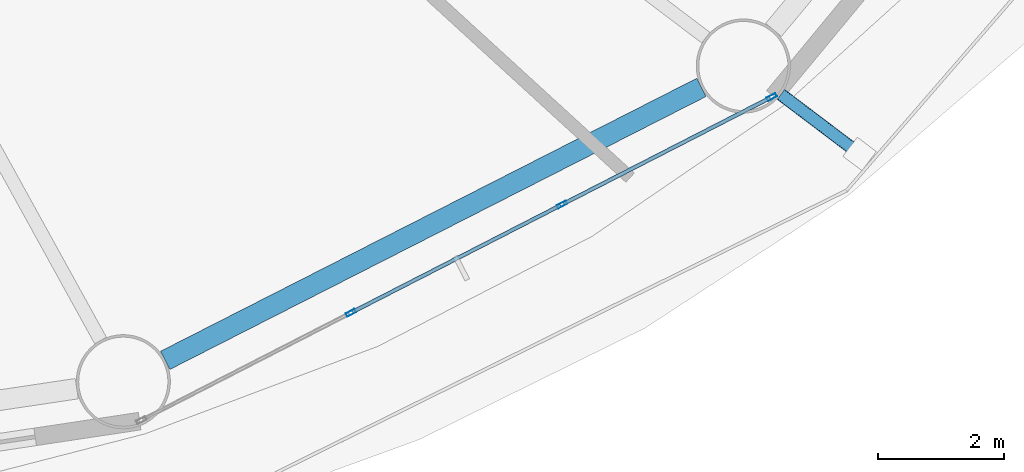
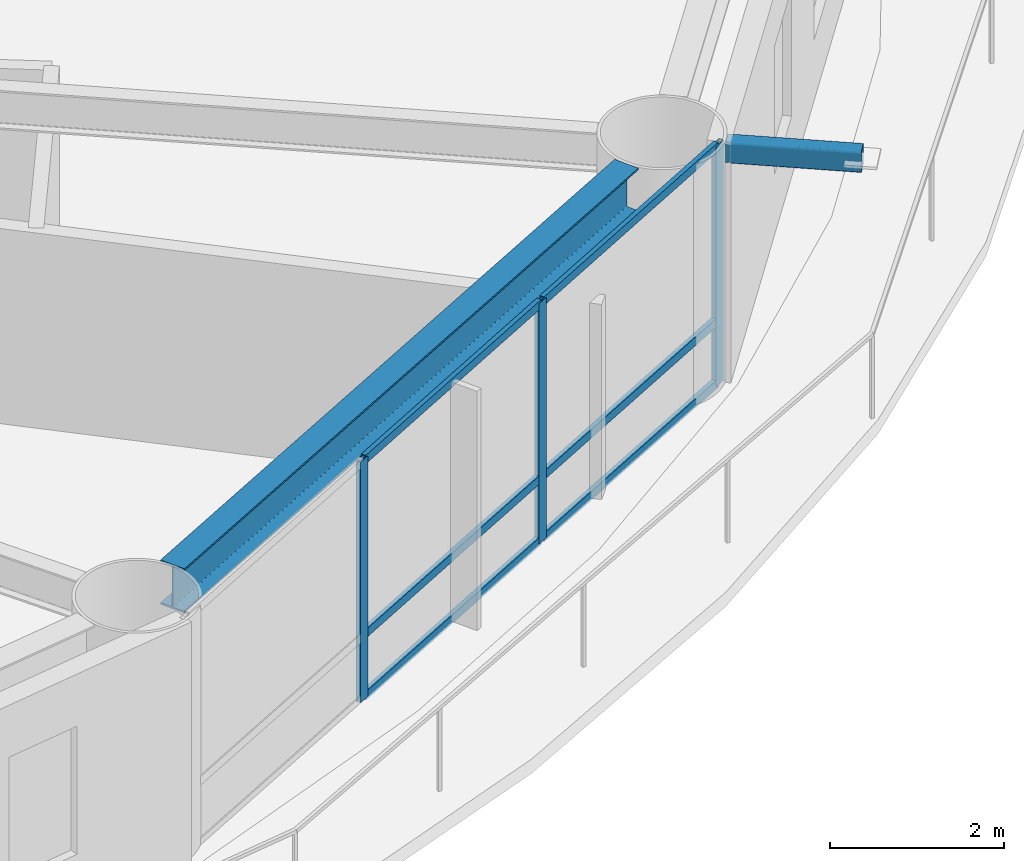
# One storey, part 8 of 26: 10 members, 1 beam, 1 element without a shape of its own.
"""IFC4 building model written with IfcOpenShell, lengths in metres."""

import ifcopenshell
import ifcopenshell.guid

model = None  # the IFC model being written
_history = None  # IfcOwnerHistory: only IFC2X3 demands one
_inside = {}  # id of a spatial element -> (the spatial element, [elements in it])
_under = {}  # id of a project, library or spatial element -> (it, [spatial elements below it])
_declared = {}  # id of a project -> (the project, [libraries it declares])
_typed = {}  # id of a type object -> (the type object, [elements of that type])
_made_of = {}  # id of a material, layer set ... -> (it, [elements and type objects made of it])


def new_model(schema):
    """Start an empty IFC model of exactly this schema.

    Asked for "IFC4X3", IfcOpenShell would pick the latest addendum, in which some entities
    have other attributes; the version numbers below select the first issue.
    IFC2X3 requires an IfcOwnerHistory on every rooted entity: one is made here for all.
    """
    global model, _history
    if schema == "IFC4X3":
        model = ifcopenshell.file(schema_version=(4, 3, 0, 0))
    else:
        model = ifcopenshell.file(schema=schema)
    _inside.clear()
    _under.clear()
    _declared.clear()
    _typed.clear()
    _made_of.clear()
    _history = None
    if model.schema == "IFC2X3":
        org = make("IfcOrganization", Name="unknown")
        user = make(
            "IfcPersonAndOrganization",
            ThePerson=make("IfcPerson", FamilyName="unknown"),
            TheOrganization=org,
        )
        app = make(
            "IfcApplication",
            ApplicationDeveloper=org,
            Version="unknown",
            ApplicationFullName="unknown",
            ApplicationIdentifier="unknown",
        )
        _history = make(
            "IfcOwnerHistory",
            OwningUser=user,
            OwningApplication=app,
            ChangeAction="ADDED",
            CreationDate=0,
        )
    return model


def make(cls, **values):
    """One entity of the class cls with the attributes given. An attribute that is None is left unset."""
    return model.create_entity(
        cls, **{name: value for name, value in values.items() if value is not None}
    )


def rooted(cls, **values):
    """An entity with a GlobalId (a new one), such as an element, a storey or a relation."""
    return make(cls, GlobalId=ifcopenshell.guid.new(), OwnerHistory=_history, **values)


def si_unit(unit_type, name, prefix=None):
    """IfcSIUnit, for example si_unit("LENGTHUNIT", "METRE", prefix="MILLI")."""
    return make("IfcSIUnit", UnitType=unit_type, Prefix=prefix, Name=name)


def assignment(units):
    """IfcUnitAssignment: the units of a project."""
    return None if units is None else make("IfcUnitAssignment", Units=units)


def point(xyz):
    """IfcCartesianPoint."""
    return None if xyz is None else make("IfcCartesianPoint", Coordinates=xyz)


def direction(xyz):
    """IfcDirection."""
    return None if xyz is None else make("IfcDirection", DirectionRatios=xyz)


def frame(location, z_axis=None, x_axis=None):
    """IfcAxis2Placement3D, a coordinate frame: its origin and axes. An axis left out is left unset."""
    return make(
        "IfcAxis2Placement3D",
        Location=point(location),
        Axis=direction(z_axis),
        RefDirection=direction(x_axis),
    )


def frame_2d(location, x_axis=None):
    """IfcAxis2Placement2D, a coordinate frame in the plane: its origin and x axis."""
    return make(
        "IfcAxis2Placement2D", Location=point(location), RefDirection=direction(x_axis)
    )


def origin():
    """The frame at (0, 0, 0) with its axes left unset."""
    return frame((0.0, 0.0, 0.0))


def origin_2d():
    """The frame at (0, 0) in the plane with its x axis left unset."""
    return frame_2d((0.0, 0.0))


def place(relative_to, where):
    """IfcLocalPlacement: puts the frame where relative to a parent placement (None: the world)."""
    return make(
        "IfcLocalPlacement", PlacementRelTo=relative_to, RelativePlacement=where
    )


def context(
    kind, dimensions, precision=None, world=None, true_north=None, identifier=None
):
    """IfcGeometricRepresentationContext, for example the 3D "Model" context."""
    return make(
        "IfcGeometricRepresentationContext",
        ContextIdentifier=identifier,
        ContextType=kind,
        CoordinateSpaceDimension=dimensions,
        Precision=precision,
        WorldCoordinateSystem=world,
        TrueNorth=true_north,
    )


def subcontext(parent, identifier, kind, view, scale=None):
    """IfcGeometricRepresentationSubContext, for example "Body" below "Model"."""
    return make(
        "IfcGeometricRepresentationSubContext",
        ContextIdentifier=identifier,
        ContextType=kind,
        ParentContext=parent,
        TargetScale=scale,
        TargetView=view,
    )


def project(units=None, contexts=None):
    """IfcProject with its units and contexts."""
    return rooted(
        "IfcProject",
        Name="project",
        RepresentationContexts=contexts,
        UnitsInContext=assignment(units),
    )


def spatial(cls, under=None, at=None, **own):
    """A site, building, storey or space (cls), placed at a placement, below another one or the project."""
    s = rooted(cls, ObjectPlacement=at, **own)
    if under is not None:
        _under.setdefault(under.id(), (under, []))[1].append(s)
    return s


def profile(cls, at=None, kind="AREA", **sizes):
    """A parametric profile (cls). Its sizes go by their IFC names, for example OverallWidth=200.0."""
    return make(cls, ProfileType=kind, Position=at, **sizes)


def hollow_rectangle(**sizes):
    """IfcRectangleHollowProfileDef."""
    return profile("IfcRectangleHollowProfileDef", **sizes)


def i_section(**sizes):
    """IfcIShapeProfileDef."""
    return profile("IfcIShapeProfileDef", **sizes)


def extrude(swept, where, along, depth):
    """IfcExtrudedAreaSolid: the profile swept, set in the frame where, extruded along a direction by depth."""
    return make(
        "IfcExtrudedAreaSolid",
        SweptArea=swept,
        Position=where,
        ExtrudedDirection=direction(along),
        Depth=depth,
    )


def shape(context_of_items, identifier, shape_type, items):
    """IfcShapeRepresentation: the items that make up one representation, for example the "Body"."""
    return make(
        "IfcShapeRepresentation",
        ContextOfItems=context_of_items,
        RepresentationIdentifier=identifier,
        RepresentationType=shape_type,
        Items=items,
    )


def material(Name=None, Category=None):
    """IfcMaterial."""
    return make("IfcMaterial", Name=Name, Category=Category)


def layer(
    of_material, thickness, ventilated=None, Name=None, Category=None, Priority=None
):
    """IfcMaterialLayer: one layer of a wall or slab, of a material (None: an air gap)."""
    return make(
        "IfcMaterialLayer",
        Material=of_material,
        LayerThickness=thickness,
        IsVentilated=ventilated,
        Name=Name,
        Category=Category,
        Priority=Priority,
    )


def layer_set(layers, Name=None):
    """IfcMaterialLayerSet."""
    return make("IfcMaterialLayerSet", MaterialLayers=layers, LayerSetName=Name)


def material_profile(
    of_material, cross_section, Name=None, Category=None, Priority=None
):
    """IfcMaterialProfile: a cross section and its material."""
    return make(
        "IfcMaterialProfile",
        Name=Name,
        Material=of_material,
        Profile=cross_section,
        Priority=Priority,
        Category=Category,
    )


def profile_set(profiles, Name=None, composite=None):
    """IfcMaterialProfileSet."""
    return make(
        "IfcMaterialProfileSet",
        Name=Name,
        MaterialProfiles=profiles,
        CompositeProfile=composite,
    )


def made_of(thing, what):
    """Note that an element or type object is made of a material, layer set ...; save() writes the relation."""
    if what is not None:
        _made_of.setdefault(what.id(), (what, []))[1].append(thing)
    return thing


def type_object(cls, material=None, **own):
    """A type object (cls), such as IfcWallType, which elements share."""
    return made_of(rooted(cls, **own), material)


def element(
    cls,
    number,
    at=None,
    inside=None,
    cuts=None,
    type_object=None,
    material=None,
    context=None,
    identifier="Body",
    shape_type=None,
    held_by="IfcProductDefinitionShape",
    body=None,
    shapes=None,
    **own,
):
    """One element of the class cls, such as IfcWall. Its Tag is "e" and its number.

    at: its placement. inside: the storey or other place that contains it. cuts: it is an
    opening in that element (IfcRelVoidsElement). A single representation is given by context,
    identifier, shape_type and body (its items); several are given by shapes. held_by: the class
    of the entity that holds the representations. save() writes the other relations.
    """
    e = rooted(cls, Tag="e%d" % number, ObjectPlacement=at, **own)
    if body is not None:
        shapes = [shape(context, identifier, shape_type, body)]
    if shapes is not None:
        e.Representation = make(held_by, Representations=shapes)
    if inside is not None:
        _inside.setdefault(inside.id(), (inside, []))[1].append(e)
    if cuts is not None:
        rooted(
            "IfcRelVoidsElement", RelatingBuildingElement=cuts, RelatedOpeningElement=e
        )
    if type_object is not None:
        _typed.setdefault(type_object.id(), (type_object, []))[1].append(e)
    return made_of(e, material)


def aggregate(whole, parts):
    """IfcRelAggregates: a whole, such as a stair, and the parts it consists of."""
    return rooted("IfcRelAggregates", RelatingObject=whole, RelatedObjects=parts)


def save(model, path):
    """Write the relations noted so far, then the file.

    IfcRelAggregates (storeys below a building ...), IfcRelContainedInSpatialStructure (elements
    in a storey), IfcRelDefinesByType, IfcRelAssociatesMaterial and IfcRelDeclares: one each for
    every whole, place, type object, material and project.
    """
    for whole, parts in _under.values():
        aggregate(whole, parts)
    for where, things in _inside.values():
        rooted(
            "IfcRelContainedInSpatialStructure",
            RelatedElements=things,
            RelatingStructure=where,
        )
    for kind, things in _typed.values():
        rooted("IfcRelDefinesByType", RelatedObjects=things, RelatingType=kind)
    for what, things in _made_of.values():
        rooted("IfcRelAssociatesMaterial", RelatedObjects=things, RelatingMaterial=what)
    for by, libraries in _declared.values():
        rooted("IfcRelDeclares", RelatingContext=by, RelatedDefinitions=libraries)
    model.write(path)


model = new_model("IFC4")

# Units and contexts
model_context = context("Model", 3, precision=1e-05, world=origin(), true_north=direction((0.0, 1.0)))
body_context = subcontext(model_context, "Body", "Model", "MODEL_VIEW")
ifc_project = project(units=[si_unit("LENGTHUNIT", "METRE"), si_unit("AREAUNIT", "SQUARE_METRE"), si_unit("VOLUMEUNIT", "CUBIC_METRE"), si_unit("PLANEANGLEUNIT", "RADIAN"), si_unit("MASSUNIT", "GRAM", prefix="KILO")], contexts=[model_context])

# Site, building, storey
site_placement = place(None, origin())
site = spatial("IfcSite", under=ifc_project, at=site_placement, CompositionType="ELEMENT")
building_placement = place(site_placement, origin())
building = spatial("IfcBuilding", under=site, at=building_placement, Name="Sarneth Arch Tower", CompositionType="ELEMENT")
storey_placement = place(building_placement, frame((0.0, 0.0, 64.199951171875)))
storey = spatial("IfcBuildingStorey", under=building, at=storey_placement, Name="L15", CompositionType="ELEMENT", Elevation=64.199951171875)

# Beam
ifc_material_1 = material(Name="Steel S355", Category="steel")
ifc_material_profile_1 = material_profile(ifc_material_1, i_section(OverallWidth=0.326904296875, OverallDepth=0.6220703125, WebThickness=0.015380859375, FlangeThickness=0.0244140625, FilletRadius=0.01904296875, at=origin_2d()), Name="W610x195")
ifc_profile_set_1 = profile_set([ifc_material_profile_1], Name="Steel S355")
beam_type = type_object("IfcBeamType", Name="BM-SPAN-610A", PredefinedType="SPANDREL", material=ifc_profile_set_1)
beam_placement = place(storey_placement, frame((60.486083984375, 20.90625, 3.069091796875), z_axis=(0.891169106887, 0.453671271882, 0.0), x_axis=(-0.453671271882, 0.891169106887, 0.0)))
element("IfcBeam", 1, at=beam_placement, inside=storey, type_object=beam_type, Name="L15 Perimeter spandrel beam 14", PredefinedType="SPANDREL", context=body_context, shape_type="SweptSolid", body=[
    extrude(i_section(OverallWidth=0.326904296875, OverallDepth=0.6220703125, WebThickness=0.015380859375, FlangeThickness=0.0244140625, FilletRadius=0.01904296875, at=origin_2d()), origin(), (0.0, 0.0, 1.0), 9.58544921875),
])

# Curtain wall, members
ifc_material_2 = material(Name="Anodised aluminium Type AA25 and solar-control low-e laminated IGU", Category="aluminium")
ifc_layer = layer(ifc_material_2, 0.159912109375)
ifc_layer_set = layer_set([ifc_layer], Name="Anodised aluminium Type AA25 and solar-control low-e laminated IGU")
curtain_wall_type = type_object("IfcCurtainWallType", Name="CW-HOTEL-LOW", PredefinedType="NOTDEFINED", material=ifc_layer_set)
curtain_wall_placement = place(storey_placement, origin())
curtain_wall = element("IfcCurtainWall", 2, at=curtain_wall_placement, inside=storey, type_object=curtain_wall_type, Name="L15 Unitised curtain wall facet 14", PredefinedType="NOTDEFINED")
ifc_material_3 = material(Name="Anodised Aluminium 6063-T6", Category="aluminium")
ifc_material_profile_2 = material_profile(ifc_material_3, hollow_rectangle(XDim=0.06005859375, YDim=0.159912109375, WallThickness=0.00390625, at=origin_2d()), Name="AL-MULL-160x60x4")
ifc_profile_set_2 = profile_set([ifc_material_profile_2], Name="Anodised Aluminium 6063-T6")
member_type_1 = type_object("IfcMemberType", Name="CW-MULLION", PredefinedType="MULLION", material=ifc_profile_set_2)
member_1_placement = place(storey_placement, frame((63.443359375, 21.663330078125, 0.0), z_axis=(0.0, 0.0, 1.0), x_axis=(-0.456245197127, 0.889854100456, 0.0)))
member_1 = element("IfcMember", 3, at=member_1_placement, type_object=member_type_1, Name="CW-SYS-3 mullion 2", PredefinedType="MULLION", context=body_context, shape_type="SweptSolid", body=[
    extrude(hollow_rectangle(XDim=0.06005859375, YDim=0.159912109375, WallThickness=0.00390625, at=origin_2d()), origin(), (0.0, 0.0, 1.0), 3.380126953125),
])
member_2_placement = place(storey_placement, frame((66.80859375, 23.388671875, 0.0), z_axis=(0.0, 0.0, 1.0), x_axis=(-0.456245197127, 0.889854100456, 0.0)))
member_2 = element("IfcMember", 4, at=member_2_placement, type_object=member_type_1, Name="CW-SYS-3 mullion 3", PredefinedType="MULLION", context=body_context, shape_type="SweptSolid", body=[
    extrude(hollow_rectangle(XDim=0.06005859375, YDim=0.159912109375, WallThickness=0.00390625, at=origin_2d()), origin(), (0.0, 0.0, 1.0), 3.380126953125),
])
member_3_placement = place(storey_placement, frame((70.1474609375, 25.1005859375, 0.0), z_axis=(0.0, 0.0, 1.0), x_axis=(-0.456245197127, 0.889854100456, 0.0)))
member_3 = element("IfcMember", 5, at=member_3_placement, type_object=member_type_1, Name="CW-SYS-3 mullion 4", PredefinedType="MULLION", context=body_context, shape_type="SweptSolid", body=[
    extrude(hollow_rectangle(XDim=0.06005859375, YDim=0.159912109375, WallThickness=0.00390625, at=origin_2d()), origin(), (0.0, 0.0, 1.0), 3.380126953125),
])
ifc_material_4 = material(Name="Anodised Aluminium 6063-T6", Category="aluminium")
ifc_material_profile_3 = material_profile(ifc_material_4, hollow_rectangle(XDim=0.06005859375, YDim=0.1201171875, WallThickness=0.00390625, at=origin_2d()), Name="AL-TRAN-120x60x4")
ifc_profile_set_3 = profile_set([ifc_material_profile_3], Name="Anodised Aluminium 6063-T6")
member_type_2 = type_object("IfcMemberType", Name="CW-TRANSOM", PredefinedType="USERDEFINED", material=ifc_profile_set_3)
member_4_placement = place(storey_placement, frame((63.469970703125, 21.677001953125, 0.030029296875), z_axis=(0.889868677022, 0.456216766083, 0.0), x_axis=(-0.456216766083, 0.889868677022, 0.0)))
member_4 = element("IfcMember", 6, at=member_4_placement, type_object=member_type_2, Name="CW-SYS-3 transom 2.1", ObjectType="TRANSOM", PredefinedType="USERDEFINED", context=body_context, shape_type="SweptSolid", body=[
    extrude(hollow_rectangle(XDim=0.06005859375, YDim=0.1201171875, WallThickness=0.00390625, at=origin_2d()), origin(), (0.0, 0.0, 1.0), 3.721923828125),
])
member_5_placement = place(storey_placement, frame((63.469970703125, 21.677001953125, 0.900146484375), z_axis=(0.889868677022, 0.456216766083, 0.0), x_axis=(-0.456216766083, 0.889868677022, 0.0)))
member_5 = element("IfcMember", 7, at=member_5_placement, type_object=member_type_2, Name="CW-SYS-3 transom 2.2", ObjectType="TRANSOM", PredefinedType="USERDEFINED", context=body_context, shape_type="SweptSolid", body=[
    extrude(hollow_rectangle(XDim=0.06005859375, YDim=0.1201171875, WallThickness=0.00390625, at=origin_2d()), origin(), (0.0, 0.0, 1.0), 3.721923828125),
])
member_6_placement = place(storey_placement, frame((63.469970703125, 21.677001953125, 3.35009765625), z_axis=(0.889868677022, 0.456216766083, 0.0), x_axis=(-0.456216766083, 0.889868677022, 0.0)))
member_6 = element("IfcMember", 8, at=member_6_placement, type_object=member_type_2, Name="CW-SYS-3 transom 2.3", ObjectType="TRANSOM", PredefinedType="USERDEFINED", context=body_context, shape_type="SweptSolid", body=[
    extrude(hollow_rectangle(XDim=0.06005859375, YDim=0.1201171875, WallThickness=0.00390625, at=origin_2d()), origin(), (0.0, 0.0, 1.0), 3.721923828125),
])
member_7_placement = place(storey_placement, frame((66.83544921875, 23.402587890625, 0.030029296875), z_axis=(0.889871845224, 0.456210586327, 0.0), x_axis=(-0.456210586327, 0.889871845224, 0.0)))
member_7 = element("IfcMember", 9, at=member_7_placement, type_object=member_type_2, Name="CW-SYS-3 transom 3.1", ObjectType="TRANSOM", PredefinedType="USERDEFINED", context=body_context, shape_type="SweptSolid", body=[
    extrude(hollow_rectangle(XDim=0.06005859375, YDim=0.1201171875, WallThickness=0.00390625, at=origin_2d()), origin(), (0.0, 0.0, 1.0), 3.69189453125),
])
member_8_placement = place(storey_placement, frame((66.83544921875, 23.402587890625, 0.900146484375), z_axis=(0.889871845224, 0.456210586327, 0.0), x_axis=(-0.456210586327, 0.889871845224, 0.0)))
member_8 = element("IfcMember", 10, at=member_8_placement, type_object=member_type_2, Name="CW-SYS-3 transom 3.2", ObjectType="TRANSOM", PredefinedType="USERDEFINED", context=body_context, shape_type="SweptSolid", body=[
    extrude(hollow_rectangle(XDim=0.06005859375, YDim=0.1201171875, WallThickness=0.00390625, at=origin_2d()), origin(), (0.0, 0.0, 1.0), 3.69189453125),
])
member_9_placement = place(storey_placement, frame((66.83544921875, 23.402587890625, 3.35009765625), z_axis=(0.889871845224, 0.456210586327, 0.0), x_axis=(-0.456210586327, 0.889871845224, 0.0)))
member_9 = element("IfcMember", 11, at=member_9_placement, type_object=member_type_2, Name="CW-SYS-3 transom 3.3", ObjectType="TRANSOM", PredefinedType="USERDEFINED", context=body_context, shape_type="SweptSolid", body=[
    extrude(hollow_rectangle(XDim=0.06005859375, YDim=0.1201171875, WallThickness=0.00390625, at=origin_2d()), origin(), (0.0, 0.0, 1.0), 3.69189453125),
])
aggregate(curtain_wall, [member_1, member_2, member_3, member_4, member_5, member_6, member_7, member_8, member_9])

# Member
ifc_material_5 = material(Name="Steel S355", Category="steel")
ifc_material_profile_4 = material_profile(ifc_material_5, hollow_rectangle(XDim=0.199951171875, YDim=0.300048828125, WallThickness=0.012451171875, InnerFilletRadius=0.018798828125, OuterFilletRadius=0.03125, at=origin_2d()), Name="RHS300x200x12.5")
ifc_profile_set_4 = profile_set([ifc_material_profile_4], Name="Steel S355")
member_type_3 = type_object("IfcMemberType", Name="MEM-CANT-STRUT", PredefinedType="STRUT", material=ifc_profile_set_4)
member_10_placement = place(storey_placement, frame((70.294921875, 25.142822265625, 3.219970703125), z_axis=(0.797683021349, -0.603076941569, 0.0), x_axis=(0.603076941569, 0.797683021349, 0.0)))
element("IfcMember", 12, at=member_10_placement, inside=storey, type_object=member_type_3, Name="L15 Balcony cantilever bracket 15", PredefinedType="STRUT", context=body_context, shape_type="SweptSolid", body=[
    extrude(hollow_rectangle(XDim=0.199951171875, YDim=0.300048828125, WallThickness=0.012451171875, InnerFilletRadius=0.018798828125, OuterFilletRadius=0.03125, at=origin_2d()), origin(), (0.0, 0.0, 1.0), 1.572021484375),
])

save(model, "model.ifc")
